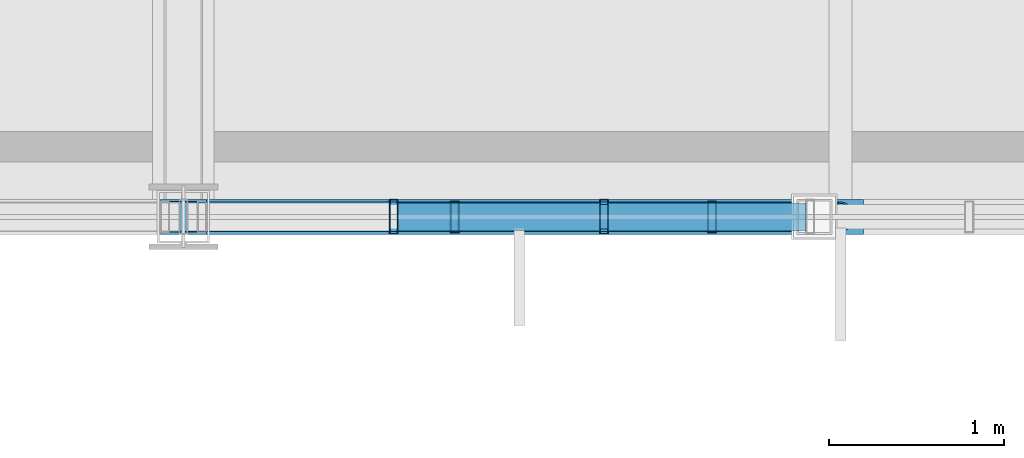
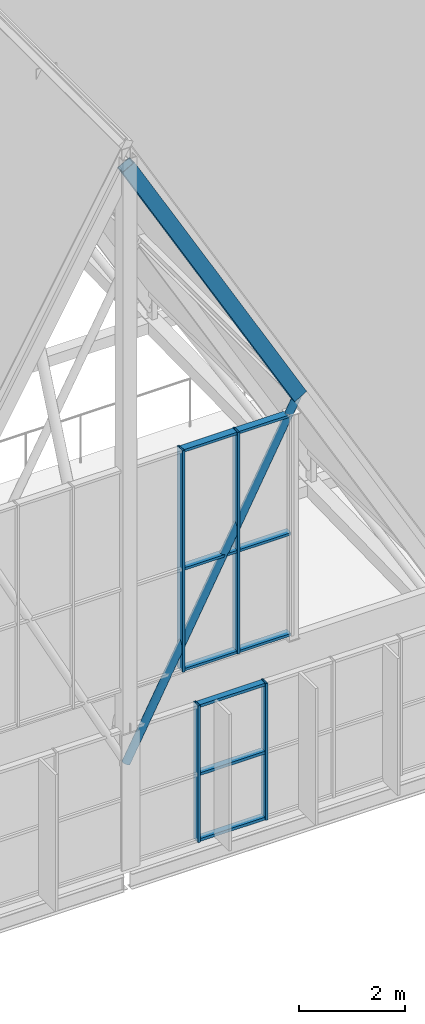
# One storey, part 122 of 324: 15 members, 2 elements without a shape of their own.
"""IFC4 building model written with IfcOpenShell, lengths in metres."""

import ifcopenshell
import ifcopenshell.guid

model = None  # the IFC model being written
_history = None  # IfcOwnerHistory: only IFC2X3 demands one
_inside = {}  # id of a spatial element -> (the spatial element, [elements in it])
_under = {}  # id of a project, library or spatial element -> (it, [spatial elements below it])
_declared = {}  # id of a project -> (the project, [libraries it declares])
_typed = {}  # id of a type object -> (the type object, [elements of that type])
_made_of = {}  # id of a material, layer set ... -> (it, [elements and type objects made of it])


def new_model(schema):
    """Start an empty IFC model of exactly this schema.

    Asked for "IFC4X3", IfcOpenShell would pick the latest addendum, in which some entities
    have other attributes; the version numbers below select the first issue.
    IFC2X3 requires an IfcOwnerHistory on every rooted entity: one is made here for all.
    """
    global model, _history
    if schema == "IFC4X3":
        model = ifcopenshell.file(schema_version=(4, 3, 0, 0))
    else:
        model = ifcopenshell.file(schema=schema)
    _inside.clear()
    _under.clear()
    _declared.clear()
    _typed.clear()
    _made_of.clear()
    _history = None
    if model.schema == "IFC2X3":
        org = make("IfcOrganization", Name="unknown")
        user = make(
            "IfcPersonAndOrganization",
            ThePerson=make("IfcPerson", FamilyName="unknown"),
            TheOrganization=org,
        )
        app = make(
            "IfcApplication",
            ApplicationDeveloper=org,
            Version="unknown",
            ApplicationFullName="unknown",
            ApplicationIdentifier="unknown",
        )
        _history = make(
            "IfcOwnerHistory",
            OwningUser=user,
            OwningApplication=app,
            ChangeAction="ADDED",
            CreationDate=0,
        )
    return model


def make(cls, **values):
    """One entity of the class cls with the attributes given. An attribute that is None is left unset."""
    return model.create_entity(
        cls, **{name: value for name, value in values.items() if value is not None}
    )


def rooted(cls, **values):
    """An entity with a GlobalId (a new one), such as an element, a storey or a relation."""
    return make(cls, GlobalId=ifcopenshell.guid.new(), OwnerHistory=_history, **values)


def si_unit(unit_type, name, prefix=None):
    """IfcSIUnit, for example si_unit("LENGTHUNIT", "METRE", prefix="MILLI")."""
    return make("IfcSIUnit", UnitType=unit_type, Prefix=prefix, Name=name)


def assignment(units):
    """IfcUnitAssignment: the units of a project."""
    return None if units is None else make("IfcUnitAssignment", Units=units)


def point(xyz):
    """IfcCartesianPoint."""
    return None if xyz is None else make("IfcCartesianPoint", Coordinates=xyz)


def direction(xyz):
    """IfcDirection."""
    return None if xyz is None else make("IfcDirection", DirectionRatios=xyz)


def frame(location, z_axis=None, x_axis=None):
    """IfcAxis2Placement3D, a coordinate frame: its origin and axes. An axis left out is left unset."""
    return make(
        "IfcAxis2Placement3D",
        Location=point(location),
        Axis=direction(z_axis),
        RefDirection=direction(x_axis),
    )


def frame_2d(location, x_axis=None):
    """IfcAxis2Placement2D, a coordinate frame in the plane: its origin and x axis."""
    return make(
        "IfcAxis2Placement2D", Location=point(location), RefDirection=direction(x_axis)
    )


def origin():
    """The frame at (0, 0, 0) with its axes left unset."""
    return frame((0.0, 0.0, 0.0))


def origin_2d():
    """The frame at (0, 0) in the plane with its x axis left unset."""
    return frame_2d((0.0, 0.0))


def place(relative_to, where):
    """IfcLocalPlacement: puts the frame where relative to a parent placement (None: the world)."""
    return make(
        "IfcLocalPlacement", PlacementRelTo=relative_to, RelativePlacement=where
    )


def context(
    kind, dimensions, precision=None, world=None, true_north=None, identifier=None
):
    """IfcGeometricRepresentationContext, for example the 3D "Model" context."""
    return make(
        "IfcGeometricRepresentationContext",
        ContextIdentifier=identifier,
        ContextType=kind,
        CoordinateSpaceDimension=dimensions,
        Precision=precision,
        WorldCoordinateSystem=world,
        TrueNorth=true_north,
    )


def subcontext(parent, identifier, kind, view, scale=None):
    """IfcGeometricRepresentationSubContext, for example "Body" below "Model"."""
    return make(
        "IfcGeometricRepresentationSubContext",
        ContextIdentifier=identifier,
        ContextType=kind,
        ParentContext=parent,
        TargetScale=scale,
        TargetView=view,
    )


def project(units=None, contexts=None):
    """IfcProject with its units and contexts."""
    return rooted(
        "IfcProject",
        Name="project",
        RepresentationContexts=contexts,
        UnitsInContext=assignment(units),
    )


def spatial(cls, under=None, at=None, **own):
    """A site, building, storey or space (cls), placed at a placement, below another one or the project."""
    s = rooted(cls, ObjectPlacement=at, **own)
    if under is not None:
        _under.setdefault(under.id(), (under, []))[1].append(s)
    return s


def profile(cls, at=None, kind="AREA", **sizes):
    """A parametric profile (cls). Its sizes go by their IFC names, for example OverallWidth=200.0."""
    return make(cls, ProfileType=kind, Position=at, **sizes)


def hollow_rectangle(**sizes):
    """IfcRectangleHollowProfileDef."""
    return profile("IfcRectangleHollowProfileDef", **sizes)


def hollow_circle(**sizes):
    """IfcCircleHollowProfileDef."""
    return profile("IfcCircleHollowProfileDef", **sizes)


def extrude(swept, where, along, depth):
    """IfcExtrudedAreaSolid: the profile swept, set in the frame where, extruded along a direction by depth."""
    return make(
        "IfcExtrudedAreaSolid",
        SweptArea=swept,
        Position=where,
        ExtrudedDirection=direction(along),
        Depth=depth,
    )


def shape(context_of_items, identifier, shape_type, items):
    """IfcShapeRepresentation: the items that make up one representation, for example the "Body"."""
    return make(
        "IfcShapeRepresentation",
        ContextOfItems=context_of_items,
        RepresentationIdentifier=identifier,
        RepresentationType=shape_type,
        Items=items,
    )


def material(Name=None, Category=None):
    """IfcMaterial."""
    return make("IfcMaterial", Name=Name, Category=Category)


def layer(
    of_material, thickness, ventilated=None, Name=None, Category=None, Priority=None
):
    """IfcMaterialLayer: one layer of a wall or slab, of a material (None: an air gap)."""
    return make(
        "IfcMaterialLayer",
        Material=of_material,
        LayerThickness=thickness,
        IsVentilated=ventilated,
        Name=Name,
        Category=Category,
        Priority=Priority,
    )


def layer_set(layers, Name=None):
    """IfcMaterialLayerSet."""
    return make("IfcMaterialLayerSet", MaterialLayers=layers, LayerSetName=Name)


def material_profile(
    of_material, cross_section, Name=None, Category=None, Priority=None
):
    """IfcMaterialProfile: a cross section and its material."""
    return make(
        "IfcMaterialProfile",
        Name=Name,
        Material=of_material,
        Profile=cross_section,
        Priority=Priority,
        Category=Category,
    )


def profile_set(profiles, Name=None, composite=None):
    """IfcMaterialProfileSet."""
    return make(
        "IfcMaterialProfileSet",
        Name=Name,
        MaterialProfiles=profiles,
        CompositeProfile=composite,
    )


def made_of(thing, what):
    """Note that an element or type object is made of a material, layer set ...; save() writes the relation."""
    if what is not None:
        _made_of.setdefault(what.id(), (what, []))[1].append(thing)
    return thing


def type_object(cls, material=None, **own):
    """A type object (cls), such as IfcWallType, which elements share."""
    return made_of(rooted(cls, **own), material)


def element(
    cls,
    number,
    at=None,
    inside=None,
    cuts=None,
    type_object=None,
    material=None,
    context=None,
    identifier="Body",
    shape_type=None,
    held_by="IfcProductDefinitionShape",
    body=None,
    shapes=None,
    **own,
):
    """One element of the class cls, such as IfcWall. Its Tag is "e" and its number.

    at: its placement. inside: the storey or other place that contains it. cuts: it is an
    opening in that element (IfcRelVoidsElement). A single representation is given by context,
    identifier, shape_type and body (its items); several are given by shapes. held_by: the class
    of the entity that holds the representations. save() writes the other relations.
    """
    e = rooted(cls, Tag="e%d" % number, ObjectPlacement=at, **own)
    if body is not None:
        shapes = [shape(context, identifier, shape_type, body)]
    if shapes is not None:
        e.Representation = make(held_by, Representations=shapes)
    if inside is not None:
        _inside.setdefault(inside.id(), (inside, []))[1].append(e)
    if cuts is not None:
        rooted(
            "IfcRelVoidsElement", RelatingBuildingElement=cuts, RelatedOpeningElement=e
        )
    if type_object is not None:
        _typed.setdefault(type_object.id(), (type_object, []))[1].append(e)
    return made_of(e, material)


def aggregate(whole, parts):
    """IfcRelAggregates: a whole, such as a stair, and the parts it consists of."""
    return rooted("IfcRelAggregates", RelatingObject=whole, RelatedObjects=parts)


def save(model, path):
    """Write the relations noted so far, then the file.

    IfcRelAggregates (storeys below a building ...), IfcRelContainedInSpatialStructure (elements
    in a storey), IfcRelDefinesByType, IfcRelAssociatesMaterial and IfcRelDeclares: one each for
    every whole, place, type object, material and project.
    """
    for whole, parts in _under.values():
        aggregate(whole, parts)
    for where, things in _inside.values():
        rooted(
            "IfcRelContainedInSpatialStructure",
            RelatedElements=things,
            RelatingStructure=where,
        )
    for kind, things in _typed.values():
        rooted("IfcRelDefinesByType", RelatedObjects=things, RelatingType=kind)
    for what, things in _made_of.values():
        rooted("IfcRelAssociatesMaterial", RelatedObjects=things, RelatingMaterial=what)
    for by, libraries in _declared.values():
        rooted("IfcRelDeclares", RelatingContext=by, RelatedDefinitions=libraries)
    model.write(path)


model = new_model("IFC4")

# Units and contexts
model_context = context("Model", 3, precision=1e-05, world=origin(), true_north=direction((0.0, 1.0)))
body_context = subcontext(model_context, "Body", "Model", "MODEL_VIEW")
ifc_project = project(units=[si_unit("LENGTHUNIT", "METRE"), si_unit("AREAUNIT", "SQUARE_METRE"), si_unit("VOLUMEUNIT", "CUBIC_METRE"), si_unit("PLANEANGLEUNIT", "RADIAN"), si_unit("MASSUNIT", "GRAM", prefix="KILO")], contexts=[model_context])

# Site, building, storey
site_placement = place(None, origin())
site = spatial("IfcSite", under=ifc_project, at=site_placement, CompositionType="ELEMENT")
building_placement = place(site_placement, origin())
building = spatial("IfcBuilding", under=site, at=building_placement, Name="Solvenia Promenade Tram Depot", CompositionType="ELEMENT")
storey_placement = place(building_placement, frame((0.0, 0.0, 4.5)))
storey = spatial("IfcBuildingStorey", under=building, at=storey_placement, Name="L01", CompositionType="ELEMENT", Elevation=4.5)

# Curtain wall, members
ifc_material_1 = material(Name="Anodized aluminium AW-6063 T6", Category="aluminium")
ifc_layer_1 = layer(ifc_material_1, 0.159912109375, Name="Anodized aluminium AW-6063 T6", Category="aluminium")
ifc_layer_set_1 = layer_set([ifc_layer_1], Name="Anodized aluminium AW-6063 T6")
curtain_wall_type_1 = type_object("IfcCurtainWallType", Name="CW-Channel-1500", PredefinedType="NOTDEFINED", material=ifc_layer_set_1)
curtain_wall_1_placement = place(storey_placement, origin())
curtain_wall_1 = element("IfcCurtainWall", 1, at=curtain_wall_1_placement, inside=storey, type_object=curtain_wall_type_1, Name="Curtain Wall CW-V1S1-04", PredefinedType="NOTDEFINED")
ifc_material_profile_1 = material_profile(ifc_material_1, hollow_rectangle(XDim=0.179931640625, YDim=0.050048828125, WallThickness=0.00390625, at=origin_2d()), Name="ALU-M2", Category="aluminium")
ifc_profile_set_1 = profile_set([ifc_material_profile_1], Name="Anodized aluminium AW-6063 T6")
member_type_1 = type_object("IfcMemberType", Name="CWM-Mullion-2", PredefinedType="MULLION", material=ifc_profile_set_1)
member_1_placement = place(storey_placement, frame((69.048095703125, 66.0, 0.0), z_axis=(0.0, 0.0, 1.0), x_axis=(0.0, 1.0, 0.0)))
member_1 = element("IfcMember", 2, at=member_1_placement, type_object=member_type_1, Name="CW-2 mullion 2", PredefinedType="MULLION", context=body_context, shape_type="SweptSolid", body=[
    extrude(hollow_rectangle(XDim=0.179931640625, YDim=0.050048828125, WallThickness=0.00390625, at=origin_2d()), origin(), (0.0, 0.0, 1.0), 3.14990234375),
])
member_2_placement = place(storey_placement, frame((70.51611328125, 66.0, 0.0), z_axis=(0.0, 0.0, 1.0), x_axis=(0.0, 1.0, 0.0)))
member_2 = element("IfcMember", 3, at=member_2_placement, type_object=member_type_1, Name="CW-2 mullion 3", PredefinedType="MULLION", context=body_context, shape_type="SweptSolid", body=[
    extrude(hollow_rectangle(XDim=0.179931640625, YDim=0.050048828125, WallThickness=0.00390625, at=origin_2d()), origin(), (0.0, 0.0, 1.0), 3.14990234375),
])

ifc_layer_2 = layer(ifc_material_1, 0.14990234375, Name="Anodized aluminium AW-6063 T6", Category="aluminium")
ifc_layer_set_2 = layer_set([ifc_layer_2], Name="Anodized aluminium AW-6063 T6")
curtain_wall_type_2 = type_object("IfcCurtainWallType", Name="CW-Gable-1200", PredefinedType="NOTDEFINED", material=ifc_layer_set_2)
curtain_wall_2_placement = place(storey_placement, origin())
curtain_wall_2 = element("IfcCurtainWall", 4, at=curtain_wall_2_placement, inside=storey, type_object=curtain_wall_type_2, Name="South Zigzag Gable 05 Peak Glazing", PredefinedType="NOTDEFINED")
ifc_material_profile_2 = material_profile(ifc_material_1, hollow_rectangle(XDim=0.199951171875, YDim=0.048095703125, WallThickness=0.00390625, at=origin_2d()), Name="ALU-M3", Category="aluminium")
ifc_profile_set_2 = profile_set([ifc_material_profile_2], Name="Anodized aluminium AW-6063 T6")
member_type_2 = type_object("IfcMemberType", Name="CWM-Mullion-3", PredefinedType="MULLION", material=ifc_profile_set_2)
member_3_placement = place(storey_placement, frame((68.699951171875, 66.0, 4.050048828125), z_axis=(0.0, 0.0, 1.0), x_axis=(0.0, 1.0, 0.0)))
member_3 = element("IfcMember", 5, at=member_3_placement, type_object=member_type_2, Name="CW-3 mullion 5", PredefinedType="MULLION", context=body_context, shape_type="SweptSolid", body=[
    extrude(hollow_rectangle(XDim=0.199951171875, YDim=0.048095703125, WallThickness=0.00390625, at=origin_2d()), origin(), (0.0, 0.0, 1.0), 5.099853515625),
])
member_4_placement = place(storey_placement, frame((69.89990234375, 66.0, 4.050048828125), z_axis=(0.0, 0.0, 1.0), x_axis=(0.0, 1.0, 0.0)))
member_4 = element("IfcMember", 6, at=member_4_placement, type_object=member_type_2, Name="CW-3 mullion 6", PredefinedType="MULLION", context=body_context, shape_type="SweptSolid", body=[
    extrude(hollow_rectangle(XDim=0.199951171875, YDim=0.048095703125, WallThickness=0.00390625, at=origin_2d()), origin(), (0.0, 0.0, 1.0), 5.099853515625),
])

# Member
ifc_material_profile_3 = material_profile(ifc_material_1, hollow_rectangle(XDim=0.139892578125, YDim=0.06494140625, WallThickness=0.00390625, at=origin_2d()), Name="ALU-T2", Category="aluminium")
ifc_profile_set_3 = profile_set([ifc_material_profile_3], Name="Anodized aluminium AW-6063 T6")
member_type_3 = type_object("IfcMemberType", Name="CWT-Transom-2", PredefinedType="USERDEFINED", material=ifc_profile_set_3)
member_5_placement = place(storey_placement, frame((69.072998046875, 66.0, 0.032470703125), z_axis=(1.0, 0.0, 0.0), x_axis=(0.0, 1.0, 0.0)))
member_5 = element("IfcMember", 7, at=member_5_placement, type_object=member_type_3, Name="CW-2 transom 2.1", ObjectType="TRANSOM", PredefinedType="USERDEFINED", context=body_context, shape_type="SweptSolid", body=[
    extrude(hollow_rectangle(XDim=0.139892578125, YDim=0.06494140625, WallThickness=0.00390625, at=origin_2d()), origin(), (0.0, 0.0, 1.0), 1.41796875),
])

member_6_placement = place(storey_placement, frame((69.072998046875, 66.0, 1.550048828125), z_axis=(1.0, 0.0, 0.0), x_axis=(0.0, 1.0, 0.0)))
member_6 = element("IfcMember", 8, at=member_6_placement, type_object=member_type_3, Name="CW-2 transom 2.2", ObjectType="TRANSOM", PredefinedType="USERDEFINED", context=body_context, shape_type="SweptSolid", body=[
    extrude(hollow_rectangle(XDim=0.139892578125, YDim=0.06494140625, WallThickness=0.00390625, at=origin_2d()), origin(), (0.0, 0.0, 1.0), 1.41796875),
])

member_7_placement = place(storey_placement, frame((69.072998046875, 66.0, 3.117431640625), z_axis=(1.0, 0.0, 0.0), x_axis=(0.0, 1.0, 0.0)))
member_7 = element("IfcMember", 9, at=member_7_placement, type_object=member_type_3, Name="CW-2 transom 2.3", ObjectType="TRANSOM", PredefinedType="USERDEFINED", context=body_context, shape_type="SweptSolid", body=[
    extrude(hollow_rectangle(XDim=0.139892578125, YDim=0.06494140625, WallThickness=0.00390625, at=origin_2d()), origin(), (0.0, 0.0, 1.0), 1.41796875),
])

aggregate(curtain_wall_1, [member_1, member_2, member_5, member_6, member_7])

ifc_material_profile_4 = material_profile(ifc_material_1, hollow_rectangle(XDim=0.159912109375, YDim=0.05810546875, WallThickness=0.00390625, at=origin_2d()), Name="ALU-T3", Category="aluminium")
ifc_profile_set_4 = profile_set([ifc_material_profile_4], Name="Anodized aluminium AW-6063 T6")
member_type_4 = type_object("IfcMemberType", Name="CWT-Transom-3", PredefinedType="USERDEFINED", material=ifc_profile_set_4)
member_8_placement = place(storey_placement, frame((68.72412109375, 66.0, 4.0791015625), z_axis=(1.0, 0.0, 0.0), x_axis=(0.0, 1.0, 0.0)))
member_8 = element("IfcMember", 10, at=member_8_placement, type_object=member_type_4, Name="CW-3 transom 5.1", ObjectType="TRANSOM", PredefinedType="USERDEFINED", context=body_context, shape_type="SweptSolid", body=[
    extrude(hollow_rectangle(XDim=0.159912109375, YDim=0.05810546875, WallThickness=0.00390625, at=origin_2d()), origin(), (0.0, 0.0, 1.0), 1.15185546875),
])

member_9_placement = place(storey_placement, frame((68.72412109375, 66.0, 6.39990234375), z_axis=(1.0, 0.0, 0.0), x_axis=(0.0, 1.0, 0.0)))
member_9 = element("IfcMember", 11, at=member_9_placement, type_object=member_type_4, Name="CW-3 transom 5.2", ObjectType="TRANSOM", PredefinedType="USERDEFINED", context=body_context, shape_type="SweptSolid", body=[
    extrude(hollow_rectangle(XDim=0.159912109375, YDim=0.05810546875, WallThickness=0.00390625, at=origin_2d()), origin(), (0.0, 0.0, 1.0), 1.15185546875),
])

member_10_placement = place(storey_placement, frame((68.72412109375, 66.0, 9.12109375), z_axis=(1.0, 0.0, 0.0), x_axis=(0.0, 1.0, 0.0)))
member_10 = element("IfcMember", 12, at=member_10_placement, type_object=member_type_4, Name="CW-3 transom 5.3", ObjectType="TRANSOM", PredefinedType="USERDEFINED", context=body_context, shape_type="SweptSolid", body=[
    extrude(hollow_rectangle(XDim=0.159912109375, YDim=0.05810546875, WallThickness=0.00390625, at=origin_2d()), origin(), (0.0, 0.0, 1.0), 1.15185546875),
])

member_11_placement = place(storey_placement, frame((69.924072265625, 66.0, 4.0791015625), z_axis=(1.0, 0.0, 0.0), x_axis=(0.0, 1.0, 0.0)))
member_11 = element("IfcMember", 13, at=member_11_placement, type_object=member_type_4, Name="CW-3 transom 6.1", ObjectType="TRANSOM", PredefinedType="USERDEFINED", context=body_context, shape_type="SweptSolid", body=[
    extrude(hollow_rectangle(XDim=0.159912109375, YDim=0.05810546875, WallThickness=0.00390625, at=origin_2d()), origin(), (0.0, 0.0, 1.0), 1.1279296875),
])

member_12_placement = place(storey_placement, frame((69.924072265625, 66.0, 6.39990234375), z_axis=(1.0, 0.0, 0.0), x_axis=(0.0, 1.0, 0.0)))
member_12 = element("IfcMember", 14, at=member_12_placement, type_object=member_type_4, Name="CW-3 transom 6.2", ObjectType="TRANSOM", PredefinedType="USERDEFINED", context=body_context, shape_type="SweptSolid", body=[
    extrude(hollow_rectangle(XDim=0.159912109375, YDim=0.05810546875, WallThickness=0.00390625, at=origin_2d()), origin(), (0.0, 0.0, 1.0), 1.1279296875),
])

member_13_placement = place(storey_placement, frame((69.924072265625, 66.0, 9.12109375), z_axis=(1.0, 0.0, 0.0), x_axis=(0.0, 1.0, 0.0)))
member_13 = element("IfcMember", 15, at=member_13_placement, type_object=member_type_4, Name="CW-3 transom 6.3", ObjectType="TRANSOM", PredefinedType="USERDEFINED", context=body_context, shape_type="SweptSolid", body=[
    extrude(hollow_rectangle(XDim=0.159912109375, YDim=0.05810546875, WallThickness=0.00390625, at=origin_2d()), origin(), (0.0, 0.0, 1.0), 1.1279296875),
])

aggregate(curtain_wall_2, [member_3, member_4, member_8, member_9, member_10, member_11, member_12, member_13])

# Members
ifc_material_2 = material(Name="Structural steel ASTM A500 Gr. C", Category="steel")
ifc_material_profile_5 = material_profile(ifc_material_2, hollow_rectangle(XDim=0.199951171875, YDim=0.300048828125, WallThickness=0.012451171875, at=origin_2d()), Name="HSS300x200x12.5", Category="steel")
ifc_profile_set_5 = profile_set([ifc_material_profile_5], Name="Structural steel ASTM A500 Gr. C")
member_type_5 = type_object("IfcMemberType", Name="Chord-HSS300x200x12", PredefinedType="CHORD", material=ifc_profile_set_5)
member_14_placement = place(storey_placement, frame((67.5, 66.0, 16.086181640625), z_axis=(0.494861595532, 0.0, -0.868971806946), x_axis=(0.0, 1.0, 0.0)))
element("IfcMember", 16, at=member_14_placement, inside=storey, type_object=member_type_5, Name="Zigzag Gable 05 East Upper Rafter", PredefinedType="CHORD", context=body_context, shape_type="SweptSolid", body=[
    extrude(hollow_rectangle(XDim=0.199951171875, YDim=0.300048828125, WallThickness=0.012451171875, at=origin_2d()), origin(), (0.0, 0.0, 1.0), 7.577880859375),
])
ifc_material_profile_6 = material_profile(ifc_material_2, hollow_circle(Radius=0.084228515625, WallThickness=0.008056640625, at=origin_2d()), Name="CHS168.3x8", Category="steel")
ifc_profile_set_6 = profile_set([ifc_material_profile_6], Name="Structural steel ASTM A500 Gr. C")
member_type_6 = type_object("IfcMemberType", Name="WebDiag-CHS168x8", PredefinedType="BRACE", material=ifc_profile_set_6)
member_15_placement = place(storey_placement, frame((67.5, 66.0, 2.320068359375), z_axis=(0.462887306423, 0.0, 0.886417137443), x_axis=(0.0, 1.0, 0.0)))
element("IfcMember", 17, at=member_15_placement, inside=storey, type_object=member_type_6, Name="Zigzag Gable 05 East Knee Strut", PredefinedType="BRACE", context=body_context, shape_type="SweptSolid", body=[
    extrude(hollow_circle(Radius=0.084228515625, WallThickness=0.008056640625, at=origin_2d()), origin(), (0.0, 0.0, 1.0), 8.101318359375),
])

save(model, "model.ifc")
